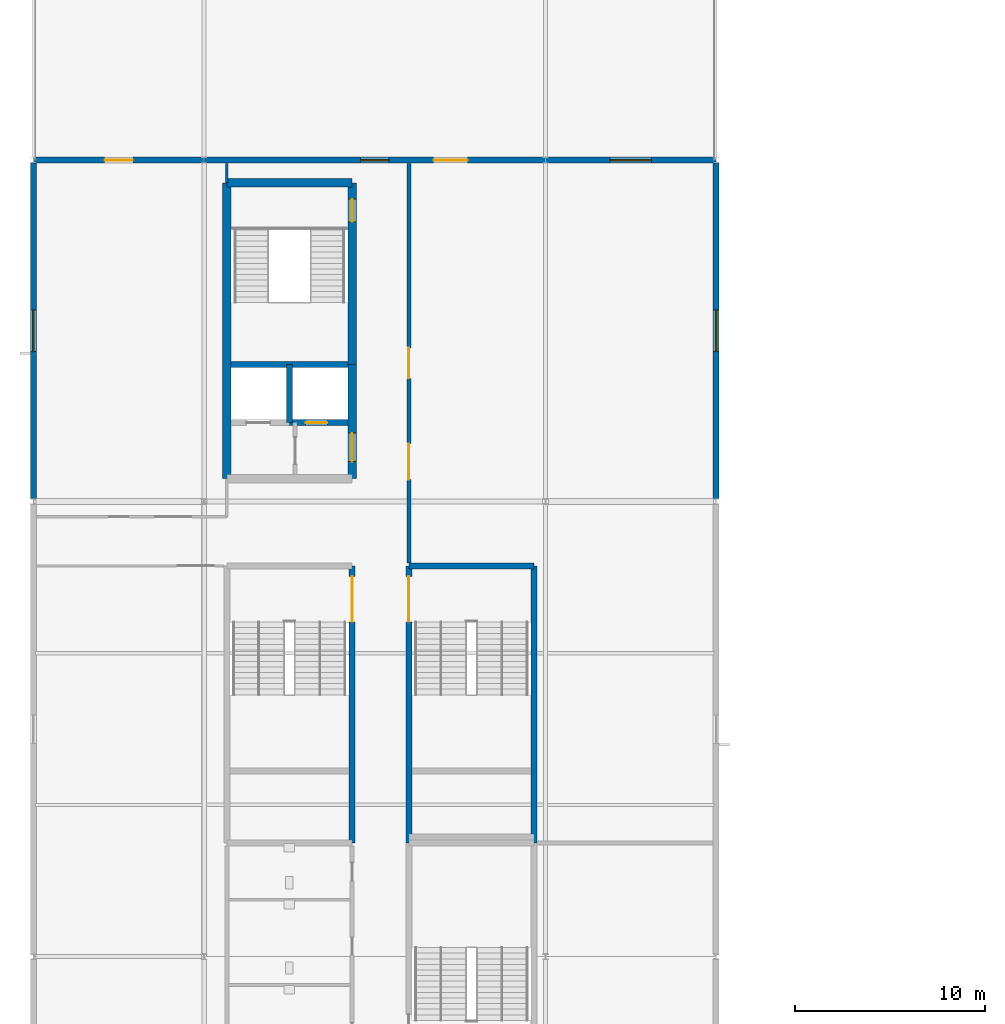
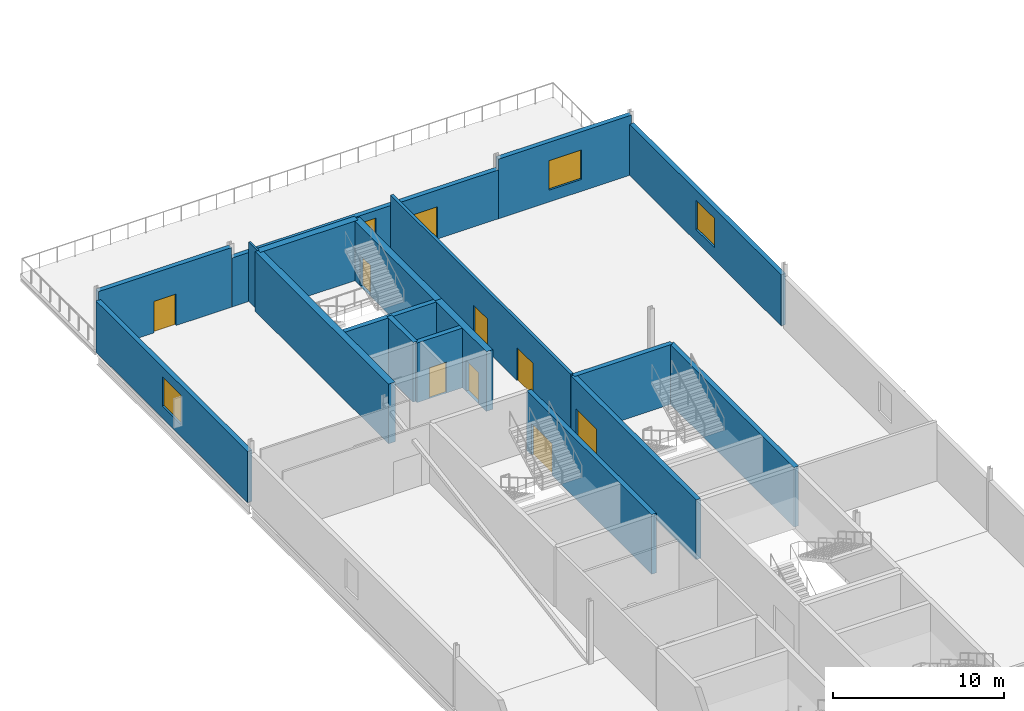
# One storey, part 13 of 28: 18 walls, 9 doors, 4 windows, 13 openings.
"""IFC4 building model written with IfcOpenShell, lengths in metres."""

from ifc_helpers import new_model, si_unit, direction, frame, frame_2d, origin, place, context, subcontext, project, spatial, rectangle, extrude, material, layer, layer_set, type_object, element, fill, save


model = new_model("IFC4")

# Units and contexts
model_context = context("Model", 3, precision=1e-05, world=origin(), true_north=direction((0.0, 1.0)))
body_context = subcontext(model_context, "Body", "Model", "MODEL_VIEW")
ifc_project = project(units=[si_unit("LENGTHUNIT", "METRE"), si_unit("AREAUNIT", "SQUARE_METRE"), si_unit("VOLUMEUNIT", "CUBIC_METRE"), si_unit("PLANEANGLEUNIT", "RADIAN"), si_unit("MASSUNIT", "GRAM", prefix="KILO")], contexts=[model_context])

# Site, building, storey
site_placement = place(None, origin())
site = spatial("IfcSite", under=ifc_project, at=site_placement, CompositionType="ELEMENT")
building_placement = place(site_placement, origin())
building = spatial("IfcBuilding", under=site, at=building_placement, Name="Kisiwana Market Hall", CompositionType="ELEMENT")
storey_placement = place(building_placement, frame((0.0, 0.0, 49.5)))
storey = spatial("IfcBuildingStorey", under=building, at=storey_placement, Name="L11", CompositionType="ELEMENT", Elevation=49.5)

# Wall, openings, doors
ifc_material_1 = material(Name="Masonry blockwork", Category="masonry")
ifc_layer_1 = layer(ifc_material_1, 0.199951171875, Name="Plastered fire compartment block wall")
ifc_layer_set_1 = layer_set([ifc_layer_1], Name="WL-COMP-200")
wall_type_1 = type_object("IfcWallType", Name="WL-COMP-200", PredefinedType="PARTITIONING", material=ifc_layer_set_1)
wall_1_placement = place(storey_placement, frame((19.800048828125, 80.760009765625, 0.0), z_axis=(0.0, 0.0, 1.0), x_axis=(0.0, 1.0, 0.0)))
wall_1 = element("IfcWall", 1, at=wall_1_placement, inside=storey, type_object=wall_type_1, Name="Interior partition W-2882", PredefinedType="PARTITIONING", context=body_context, shape_type="SweptSolid", body=[
    extrude(rectangle(XDim=21.070068359375, YDim=0.199951171875, at=frame_2d((10.53515625, 0.0))), origin(), (0.0, 0.0, 1.0), 4.2548828125),
])
opening_1_placement = place(wall_1_placement, frame((4.389892578125, 0.0, 0.0)))
opening_1 = element("IfcOpeningElement", 2, at=opening_1_placement, cuts=wall_1, Name="Opening DR-L11-035", PredefinedType="OPENING", context=body_context, shape_type="SweptSolid", body=[
    extrude(rectangle(XDim=1.89990234375, YDim=2.35009765625, at=frame_2d((0.949951171875, 1.175048828125))), frame((0.0, 0.11181640625, 0.0), z_axis=(0.0, -1.0, 0.0), x_axis=(1.0, 0.0, 0.0)), (0.0, 0.0, 1.0), 0.223876953125),
])
opening_2_placement = place(wall_1_placement, frame((9.735107421875, 0.0, 0.0)))
opening_2 = element("IfcOpeningElement", 3, at=opening_2_placement, cuts=wall_1, Name="Opening DR-L11-036", PredefinedType="OPENING", context=body_context, shape_type="SweptSolid", body=[
    extrude(rectangle(XDim=1.60009765625, YDim=2.300048828125, at=frame_2d((0.800048828125, 1.14990234375))), frame((0.0, 0.11181640625, 0.0), z_axis=(0.0, -1.0, 0.0), x_axis=(1.0, 0.0, 0.0)), (0.0, 0.0, 1.0), 0.223876953125),
])
ifc_material_2 = material(Name="Steel S275", Category="steel")
door_type_1 = type_object("IfcDoorType", Name="DR-HALL-1900", OperationType="DOUBLE_DOOR_SINGLE_SWING", PredefinedType="DOOR", material=ifc_material_2)
door_1_placement = place(opening_1_placement, frame((1.89990234375, 0.0, 0.0), z_axis=(0.0, 0.0, 1.0), x_axis=(-1.0, 0.0, 0.0)))
door_1 = element("IfcDoor", 4, at=door_1_placement, inside=storey, type_object=door_type_1, Name="L11 W Executive Training Room Door", OperationType="DOUBLE_DOOR_SINGLE_SWING", OverallHeight=2.35009765625, OverallWidth=1.89990234375, PredefinedType="DOOR", context=body_context, shape_type="SweptSolid", body=[
    extrude(rectangle(XDim=1.89990234375, YDim=2.35009765625, at=frame_2d((0.949951171875, 1.175048828125))), frame((0.0, 0.02490234375, 0.0), z_axis=(0.0, -1.0, 0.0), x_axis=(1.0, 0.0, 0.0)), (0.0, 0.0, 1.0), 0.050048828125),
])
fill(opening_1, door_1)
ifc_material_3 = material(Name="Steel S275", Category="steel")
door_type_2 = type_object("IfcDoorType", Name="DR-PLANT-FD120-1600", OperationType="DOUBLE_DOOR_SINGLE_SWING", PredefinedType="DOOR", material=ifc_material_3)
door_2_placement = place(opening_2_placement, frame((1.60009765625, 0.0, 0.0), z_axis=(0.0, 0.0, 1.0), x_axis=(-1.0, 0.0, 0.0)))
door_2 = element("IfcDoor", 5, at=door_2_placement, inside=storey, type_object=door_type_2, Name="L11 W Mid-Height AHU Plant Room Door", OperationType="DOUBLE_DOOR_SINGLE_SWING", OverallHeight=2.300048828125, OverallWidth=1.60009765625, PredefinedType="DOOR", context=body_context, shape_type="SweptSolid", body=[
    extrude(rectangle(XDim=1.60009765625, YDim=2.300048828125, at=frame_2d((0.800048828125, 1.14990234375))), frame((0.0, 0.02490234375, 0.0), z_axis=(0.0, -1.0, 0.0), x_axis=(1.0, 0.0, 0.0)), (0.0, 0.0, 1.0), 0.050048828125),
])
fill(opening_2, door_2)

# Walls
ifc_material_4 = material(Name="Concrete C40/50", Category="concrete")
ifc_layer_2 = layer(ifc_material_4, 0.320068359375, Name="Reinforced concrete shaft wall")
ifc_layer_set_2 = layer_set([ifc_layer_2], Name="WL-CORE-320")
wall_type_2 = type_object("IfcWallType", Name="WL-CORE-320", PredefinedType="SHEAR", material=ifc_layer_set_2)
wall_2_placement = place(storey_placement, frame((10.425048828125, 91.215087890625, 0.0), z_axis=(0.0, 0.0, 1.0), x_axis=(1.0, 0.0, 0.0)))
element("IfcWall", 6, at=wall_2_placement, inside=storey, type_object=wall_type_2, Name="Core W1 shaft back shear wall W-2765", PredefinedType="SHEAR", context=body_context, shape_type="SweptSolid", body=[
    extrude(rectangle(XDim=6.14990234375, YDim=0.320068359375, at=frame_2d((3.074951171875, 0.0))), origin(), (0.0, 0.0, 1.0), 4.2548828125),
])
wall_3_placement = place(storey_placement, frame((13.5, 88.155029296875, 0.0), z_axis=(0.0, 0.0, 1.0), x_axis=(0.0, 1.0, 0.0)))
element("IfcWall", 7, at=wall_3_placement, inside=storey, type_object=wall_type_2, Name="Core W1 inter-shaft shear wall W-2766", PredefinedType="SHEAR", context=body_context, shape_type="SweptSolid", body=[
    extrude(rectangle(XDim=3.06005859375, YDim=0.320068359375, at=frame_2d((1.530029296875, 0.0))), origin(), (0.0, 0.0, 1.0), 4.2548828125),
])

# Wall, opening, door
wall_4_placement = place(storey_placement, frame((13.5, 88.155029296875, 0.0), z_axis=(0.0, 0.0, 1.0), x_axis=(1.0, 0.0, 0.0)))
wall_4 = element("IfcWall", 8, at=wall_4_placement, inside=storey, type_object=wall_type_2, Name="Core W1 east lift front wall W-2768", PredefinedType="SHEAR", context=body_context, shape_type="SweptSolid", body=[
    extrude(rectangle(XDim=3.074951171875, YDim=0.320068359375, at=frame_2d((1.53759765625, 0.0))), origin(), (0.0, 0.0, 1.0), 4.2548828125),
])
opening_3_placement = place(wall_4_placement, frame((0.85009765625, 0.0, 0.0)))
opening_3 = element("IfcOpeningElement", 9, at=opening_3_placement, cuts=wall_4, Name="Opening LD-L11-004", PredefinedType="OPENING", context=body_context, shape_type="SweptSolid", body=[
    extrude(rectangle(XDim=1.14990234375, YDim=2.199951171875, at=frame_2d((0.574951171875, 1.10009765625))), frame((0.0, 0.171875, 0.0), z_axis=(0.0, -1.0, 0.0), x_axis=(1.0, 0.0, 0.0)), (0.0, 0.0, 1.0), 0.343994140625),
])
ifc_material_5 = material(Name="Steel S275", Category="steel")
door_type_3 = type_object("IfcDoorType", Name="DR-LIFT-PAX-1150", OperationType="DOUBLE_DOOR_SLIDING", PredefinedType="DOOR", material=ifc_material_5)
door_3_placement = place(opening_3_placement, origin())
door_3 = element("IfcDoor", 10, at=door_3_placement, inside=storey, type_object=door_type_3, Name="Lift Landing Door LP-02 (L11)", OperationType="DOUBLE_DOOR_SLIDING", OverallHeight=2.199951171875, OverallWidth=1.14990234375, PredefinedType="DOOR", context=body_context, shape_type="SweptSolid", body=[
    extrude(rectangle(XDim=1.14990234375, YDim=2.199951171875, at=frame_2d((0.574951171875, 1.10009765625))), frame((0.0, 0.02490234375, 0.0), z_axis=(0.0, -1.0, 0.0), x_axis=(1.0, 0.0, 0.0)), (0.0, 0.0, 1.0), 0.050048828125),
])
fill(opening_3, door_3)

wall_5_placement = place(storey_placement, frame((16.800048828125, 66.0, 0.0), z_axis=(0.0, 0.0, 1.0), x_axis=(0.0, 1.0, 0.0)))
wall_5 = element("IfcWall", 11, at=wall_5_placement, inside=storey, type_object=wall_type_2, Name="Core W4 corridor shear wall W-2795", PredefinedType="SHEAR", context=body_context, shape_type="SweptSolid", body=[
    extrude(rectangle(XDim=14.60009765625, YDim=0.320068359375, at=frame_2d((7.300048828125, 0.0))), origin(), (0.0, 0.0, 1.0), 4.2548828125),
])
opening_4_placement = place(wall_5_placement, frame((11.64990234375, 0.0, 0.0)))
opening_4 = element("IfcOpeningElement", 12, at=opening_4_placement, cuts=wall_5, Name="Opening DR-L11-014", PredefinedType="OPENING", context=body_context, shape_type="SweptSolid", body=[
    extrude(rectangle(XDim=2.39990234375, YDim=2.25, at=frame_2d((1.199951171875, 1.125))), frame((0.0, 0.171875, 0.0), z_axis=(0.0, -1.0, 0.0), x_axis=(1.0, 0.0, 0.0)), (0.0, 0.0, 1.0), 0.343994140625),
])
ifc_material_6 = material(Name="Steel S275", Category="steel")
door_type_4 = type_object("IfcDoorType", Name="DR-STAIR-FD120-2400", OperationType="DOUBLE_DOOR_SINGLE_SWING", PredefinedType="DOOR", material=ifc_material_6)
door_4_placement = place(opening_4_placement, origin())
door_4 = element("IfcDoor", 13, at=door_4_placement, inside=storey, type_object=door_type_4, Name="Escape Stair W4 Fire Door (L11)", OperationType="DOUBLE_DOOR_SINGLE_SWING", OverallHeight=2.25, OverallWidth=2.39990234375, PredefinedType="DOOR", context=body_context, shape_type="SweptSolid", body=[
    extrude(rectangle(XDim=2.39990234375, YDim=2.25, at=frame_2d((1.199951171875, 1.125))), frame((0.0, 0.02490234375, 0.0), z_axis=(0.0, -1.0, 0.0), x_axis=(1.0, 0.0, 0.0)), (0.0, 0.0, 1.0), 0.050048828125),
])
fill(opening_4, door_4)

# Wall
wall_6_placement = place(storey_placement, frame((19.800048828125, 80.60009765625, 0.0), z_axis=(0.0, 0.0, 1.0), x_axis=(1.0, 0.0, 0.0)))
element("IfcWall", 14, at=wall_6_placement, inside=storey, type_object=wall_type_2, Name="Core W8 north shear wall W-2818", PredefinedType="SHEAR", context=body_context, shape_type="SweptSolid", body=[
    extrude(rectangle(XDim=6.599853515625, YDim=0.320068359375, at=frame_2d((3.2998046875, 0.0))), origin(), (0.0, 0.0, 1.0), 4.2548828125),
])

# Wall, opening, door
wall_7_placement = place(storey_placement, frame((19.800048828125, 66.0, 0.0), z_axis=(0.0, 0.0, 1.0), x_axis=(0.0, 1.0, 0.0)))
wall_7 = element("IfcWall", 15, at=wall_7_placement, inside=storey, type_object=wall_type_2, Name="Core W8 corridor shear wall W-2819", PredefinedType="SHEAR", context=body_context, shape_type="SweptSolid", body=[
    extrude(rectangle(XDim=14.60009765625, YDim=0.320068359375, at=frame_2d((7.300048828125, 0.0))), origin(), (0.0, 0.0, 1.0), 4.2548828125),
])
opening_5_placement = place(wall_7_placement, frame((11.64990234375, 0.0, 0.0)))
opening_5 = element("IfcOpeningElement", 16, at=opening_5_placement, cuts=wall_7, Name="Opening DR-L11-019", PredefinedType="OPENING", context=body_context, shape_type="SweptSolid", body=[
    extrude(rectangle(XDim=2.39990234375, YDim=2.25, at=frame_2d((1.199951171875, 1.125))), frame((0.0, 0.171875, 0.0), z_axis=(0.0, -1.0, 0.0), x_axis=(1.0, 0.0, 0.0)), (0.0, 0.0, 1.0), 0.343994140625),
])
door_5_placement = place(opening_5_placement, frame((2.39990234375, 0.0, 0.0), z_axis=(0.0, 0.0, 1.0), x_axis=(-1.0, 0.0, 0.0)))
door_5 = element("IfcDoor", 17, at=door_5_placement, inside=storey, type_object=door_type_4, Name="Escape Stair W8 Fire Door (L11)", OperationType="DOUBLE_DOOR_SINGLE_SWING", OverallHeight=2.25, OverallWidth=2.39990234375, PredefinedType="DOOR", context=body_context, shape_type="SweptSolid", body=[
    extrude(rectangle(XDim=2.39990234375, YDim=2.25, at=frame_2d((1.199951171875, 1.125))), frame((0.0, 0.02490234375, 0.0), z_axis=(0.0, -1.0, 0.0), x_axis=(1.0, 0.0, 0.0)), (0.0, 0.0, 1.0), 0.050048828125),
])
fill(opening_5, door_5)

# Walls
wall_8_placement = place(storey_placement, frame((26.39990234375, 66.0, 0.0), z_axis=(0.0, 0.0, 1.0), x_axis=(0.0, 1.0, 0.0)))
element("IfcWall", 18, at=wall_8_placement, inside=storey, type_object=wall_type_2, Name="Core W8 outer shear wall W-2820", PredefinedType="SHEAR", context=body_context, shape_type="SweptSolid", body=[
    extrude(rectangle(XDim=14.60009765625, YDim=0.320068359375, at=frame_2d((7.300048828125, 0.0))), origin(), (0.0, 0.0, 1.0), 4.2548828125),
])
ifc_material_7 = material(Name="Concrete C40/50", Category="concrete")
ifc_layer_3 = layer(ifc_material_7, 0.449951171875, Name="Reinforced concrete core wall")
ifc_layer_set_3 = layer_set([ifc_layer_3], Name="WL-CORE-450")
wall_type_3 = type_object("IfcWallType", Name="WL-CORE-450", PredefinedType="SHEAR", material=ifc_layer_set_3)
wall_9_placement = place(storey_placement, frame((10.199951171875, 100.800048828125, 0.0), z_axis=(0.0, 0.0, 1.0), x_axis=(1.0, 0.0, 0.0)))
element("IfcWall", 19, at=wall_9_placement, inside=storey, type_object=wall_type_3, Name="Core W1 north shear wall W-2761", PredefinedType="SHEAR", context=body_context, shape_type="SweptSolid", body=[
    extrude(rectangle(XDim=6.60009765625, YDim=0.449951171875, at=frame_2d((3.300048828125, 0.0))), origin(), (0.0, 0.0, 1.0), 4.2548828125),
])
wall_10_placement = place(storey_placement, frame((10.199951171875, 85.199951171875, 0.0), z_axis=(0.0, 0.0, 1.0), x_axis=(0.0, 1.0, 0.0)))
element("IfcWall", 20, at=wall_10_placement, inside=storey, type_object=wall_type_3, Name="Core W1 outer shear wall W-2762", PredefinedType="SHEAR", context=body_context, shape_type="SweptSolid", body=[
    extrude(rectangle(XDim=15.60009765625, YDim=0.449951171875, at=frame_2d((7.800048828125, 0.0))), origin(), (0.0, 0.0, 1.0), 4.2548828125),
])

# Wall, opening, door
wall_11_placement = place(storey_placement, frame((16.800048828125, 85.199951171875, 0.0), z_axis=(0.0, 0.0, 1.0), x_axis=(0.0, 1.0, 0.0)))
wall_11 = element("IfcWall", 21, at=wall_11_placement, inside=storey, type_object=wall_type_3, Name="Core W1 lobby corridor shear wall W-2763", PredefinedType="SHEAR", context=body_context, shape_type="SweptSolid", body=[
    extrude(rectangle(XDim=6.01513671875, YDim=0.449951171875, at=frame_2d((3.007568359375, 0.0))), origin(), (0.0, 0.0, 1.0), 4.2548828125),
])
opening_6_placement = place(wall_11_placement, frame((0.89990234375, 0.0, 0.0)))
opening_6 = element("IfcOpeningElement", 22, at=opening_6_placement, cuts=wall_11, Name="Opening DR-L11-004", PredefinedType="OPENING", context=body_context, shape_type="SweptSolid", body=[
    extrude(rectangle(XDim=1.5, YDim=2.199951171875, at=frame_2d((0.75, 1.10009765625))), frame((0.0, 0.23681640625, 0.0), z_axis=(0.0, -1.0, 0.0), x_axis=(1.0, 0.0, 0.0)), (0.0, 0.0, 1.0), 0.473876953125),
])
ifc_material_8 = material(Name="Steel S275", Category="steel")
door_type_5 = type_object("IfcDoorType", Name="DR-CORR-FD60-1500", OperationType="DOUBLE_DOOR_SINGLE_SWING", PredefinedType="DOOR", material=ifc_material_8)
door_6_placement = place(opening_6_placement, frame((1.5, 0.0, 0.0), z_axis=(0.0, 0.0, 1.0), x_axis=(-1.0, 0.0, 0.0)))
door_6 = element("IfcDoor", 23, at=door_6_placement, inside=storey, type_object=door_type_5, Name="Passenger Lift Lobby W1 Smoke Door (L11)", OperationType="DOUBLE_DOOR_SINGLE_SWING", OverallHeight=2.199951171875, OverallWidth=1.5, PredefinedType="DOOR", context=body_context, shape_type="SweptSolid", body=[
    extrude(rectangle(XDim=1.5, YDim=2.199951171875, at=frame_2d((0.75, 1.10009765625))), frame((0.0, 0.02490234375, 0.0), z_axis=(0.0, -1.0, 0.0), x_axis=(1.0, 0.0, 0.0)), (0.0, 0.0, 1.0), 0.050048828125),
])
fill(opening_6, door_6)

wall_12_placement = place(storey_placement, frame((16.800048828125, 91.215087890625, 0.0), z_axis=(0.0, 0.0, 1.0), x_axis=(0.0, 1.0, 0.0)))
wall_12 = element("IfcWall", 24, at=wall_12_placement, inside=storey, type_object=wall_type_3, Name="Core W1 stair corridor shear wall W-2764", PredefinedType="SHEAR", context=body_context, shape_type="SweptSolid", body=[
    extrude(rectangle(XDim=9.5849609375, YDim=0.449951171875, at=frame_2d((4.79248046875, 0.0))), origin(), (0.0, 0.0, 1.0), 4.2548828125),
])
opening_7_placement = place(wall_12_placement, frame((7.534912109375, 0.0, 0.0)))
opening_7 = element("IfcOpeningElement", 25, at=opening_7_placement, cuts=wall_12, Name="Opening DR-L11-005", PredefinedType="OPENING", context=body_context, shape_type="SweptSolid", body=[
    extrude(rectangle(XDim=1.199951171875, YDim=2.199951171875, at=frame_2d((0.60009765625, 1.10009765625))), frame((0.0, 0.23681640625, 0.0), z_axis=(0.0, -1.0, 0.0), x_axis=(1.0, 0.0, 0.0)), (0.0, 0.0, 1.0), 0.473876953125),
])
ifc_material_9 = material(Name="Steel S275", Category="steel")
door_type_6 = type_object("IfcDoorType", Name="DR-STAIR-FD120-1200", OperationType="NOTDEFINED", PredefinedType="DOOR", material=ifc_material_9)
door_7_placement = place(opening_7_placement, origin())
door_7 = element("IfcDoor", 26, at=door_7_placement, inside=storey, type_object=door_type_6, Name="Escape Stair W1 Fire Door (L11)", OperationType="SINGLE_SWING_RIGHT", OverallHeight=2.199951171875, OverallWidth=1.199951171875, PredefinedType="DOOR", context=body_context, shape_type="SweptSolid", body=[
    extrude(rectangle(XDim=1.199951171875, YDim=2.199951171875, at=frame_2d((0.60009765625, 1.10009765625))), frame((0.0, 0.02490234375, 0.0), z_axis=(0.0, -1.0, 0.0), x_axis=(1.0, 0.0, 0.0)), (0.0, 0.0, 1.0), 0.050048828125),
])
fill(opening_7, door_7)

ifc_material_10 = material(Name="Concrete C40/50 precast", Category="concrete")
ifc_layer_4 = layer(ifc_material_10, 0.31494140625)
ifc_layer_set_4 = layer_set([ifc_layer_4], Name="WL-EXT-315")
wall_type_4 = type_object("IfcWallType", Name="WL-EXT-315", PredefinedType="STANDARD", material=ifc_layer_set_4)
wall_13_placement = place(storey_placement, frame((0.010009765625, 102.0, 0.0), z_axis=(0.0, 0.0, 1.0), x_axis=(1.0, 0.0, 0.0)))
wall_13 = element("IfcWall", 27, at=wall_13_placement, inside=storey, type_object=wall_type_4, Name="Exterior wall W-2841", PredefinedType="STANDARD", context=body_context, shape_type="SweptSolid", body=[
    extrude(rectangle(XDim=8.97998046875, YDim=0.31494140625, at=frame_2d((4.489990234375, 0.0))), origin(), (0.0, 0.0, 1.0), 4.2548828125),
])
opening_8_placement = place(wall_13_placement, frame((3.739990234375, 0.0, 0.0)))
opening_8 = element("IfcOpeningElement", 28, at=opening_8_placement, cuts=wall_13, Name="Opening DR-L11-995", PredefinedType="OPENING", context=body_context, shape_type="SweptSolid", body=[
    extrude(rectangle(XDim=1.5, YDim=2.25, at=frame_2d((0.75, 1.125))), frame((0.0, 0.16943359375, 0.0), z_axis=(0.0, -1.0, 0.0), x_axis=(1.0, 0.0, 0.0)), (0.0, 0.0, 1.0), 0.3388671875),
])
ifc_material_11 = material(Name="Aluminium alloy 6063-T6", Category="aluminium")
door_type_7 = type_object("IfcDoorType", Name="DR-EXT-TERR-1500", OperationType="DOUBLE_DOOR_SINGLE_SWING", PredefinedType="DOOR", material=ifc_material_11)
door_8_placement = place(opening_8_placement, frame((1.5, 0.0, 0.0), z_axis=(0.0, 0.0, 1.0), x_axis=(-1.0, 0.0, 0.0)))
door_8 = element("IfcDoor", 29, at=door_8_placement, inside=storey, type_object=door_type_7, Name="Exterior terrace access door DR-L11-995", OperationType="DOUBLE_DOOR_SINGLE_SWING", OverallHeight=2.25, OverallWidth=1.5, PredefinedType="DOOR", context=body_context, shape_type="SweptSolid", body=[
    extrude(rectangle(XDim=1.5, YDim=2.25, at=frame_2d((0.75, 1.125))), frame((0.0, 0.02490234375, 0.0), z_axis=(0.0, -1.0, 0.0), x_axis=(1.0, 0.0, 0.0)), (0.0, 0.0, 1.0), 0.050048828125),
])
fill(opening_8, door_8)

# Wall, openings, door, window
wall_14_placement = place(storey_placement, frame((9.010009765625, 102.0, 0.0), z_axis=(0.0, 0.0, 1.0), x_axis=(1.0, 0.0, 0.0)))
wall_14 = element("IfcWall", 30, at=wall_14_placement, inside=storey, type_object=wall_type_4, Name="Exterior wall W-2842", PredefinedType="STANDARD", context=body_context, shape_type="SweptSolid", body=[
    extrude(rectangle(XDim=17.97998046875, YDim=0.31494140625, at=frame_2d((8.989990234375, 0.0))), origin(), (0.0, 0.0, 1.0), 3.492919921875),
])
opening_9_placement = place(wall_14_placement, frame((8.239990234375, 0.0, 0.85009765625)))
opening_9 = element("IfcOpeningElement", 31, at=opening_9_placement, cuts=wall_14, Name="Opening WN-04", PredefinedType="OPENING", context=body_context, shape_type="SweptSolid", body=[
    extrude(rectangle(XDim=1.5, YDim=2.10009765625, at=frame_2d((0.75, 1.050048828125))), frame((0.0, 0.16943359375, 0.0), z_axis=(0.0, -1.0, 0.0), x_axis=(1.0, 0.0, 0.0)), (0.0, 0.0, 1.0), 0.3388671875),
])
opening_10_placement = place(wall_14_placement, frame((12.090087890625, 0.0, 0.0)))
opening_10 = element("IfcOpeningElement", 32, at=opening_10_placement, cuts=wall_14, Name="Opening DR-L11-998", PredefinedType="OPENING", context=body_context, shape_type="SweptSolid", body=[
    extrude(rectangle(XDim=1.800048828125, YDim=2.300048828125, at=frame_2d((0.89990234375, 1.14990234375))), frame((0.0, 0.16943359375, 0.0), z_axis=(0.0, -1.0, 0.0), x_axis=(1.0, 0.0, 0.0)), (0.0, 0.0, 1.0), 0.3388671875),
])
ifc_material_12 = material(Name="Aluminium alloy 6063-T6", Category="aluminium")
door_type_8 = type_object("IfcDoorType", Name="DR-EXT-TERR-1800", OperationType="DOUBLE_DOOR_SINGLE_SWING", PredefinedType="DOOR", material=ifc_material_12)
door_9_placement = place(opening_10_placement, frame((1.800048828125, 0.0, 0.0), z_axis=(0.0, 0.0, 1.0), x_axis=(-1.0, 0.0, 0.0)))
door_9 = element("IfcDoor", 33, at=door_9_placement, inside=storey, type_object=door_type_8, Name="Exterior terrace access door DR-L11-998", OperationType="DOUBLE_DOOR_SINGLE_SWING", OverallHeight=2.300048828125, OverallWidth=1.800048828125, PredefinedType="DOOR", context=body_context, shape_type="SweptSolid", body=[
    extrude(rectangle(XDim=1.800048828125, YDim=2.300048828125, at=frame_2d((0.89990234375, 1.14990234375))), frame((0.0, 0.02490234375, 0.0), z_axis=(0.0, -1.0, 0.0), x_axis=(1.0, 0.0, 0.0)), (0.0, 0.0, 1.0), 0.050048828125),
])
fill(opening_10, door_9)
ifc_material_13 = material(Name="Double-glazed solar-control low-E IGU", Category="glass")
window_type_1 = type_object("IfcWindowType", Name="WN-DRUM-1500x2100", PartitioningType="SINGLE_PANEL", PredefinedType="WINDOW", material=ifc_material_13)
window_1_placement = place(opening_9_placement, origin())
window_1 = element("IfcWindow", 34, at=window_1_placement, inside=storey, type_object=window_type_1, Name="Exterior window WN-335", OverallHeight=2.10009765625, OverallWidth=1.5, PartitioningType="SINGLE_PANEL", PredefinedType="WINDOW", context=body_context, shape_type="SweptSolid", body=[
    extrude(rectangle(XDim=1.5, YDim=2.10009765625, at=frame_2d((0.75, 1.050048828125))), frame((0.0, 0.030029296875, 0.0), z_axis=(0.0, -1.0, 0.0), x_axis=(1.0, 0.0, 0.0)), (0.0, 0.0, 1.0), 0.06005859375),
])
fill(opening_9, window_1)

# Wall, opening, window
wall_15_placement = place(storey_placement, frame((27.010009765625, 102.0, 0.0), z_axis=(0.0, 0.0, 1.0), x_axis=(1.0, 0.0, 0.0)))
wall_15 = element("IfcWall", 35, at=wall_15_placement, inside=storey, type_object=wall_type_4, Name="Exterior wall W-2843", PredefinedType="STANDARD", context=body_context, shape_type="SweptSolid", body=[
    extrude(rectangle(XDim=8.97998046875, YDim=0.31494140625, at=frame_2d((4.489990234375, 0.0))), origin(), (0.0, 0.0, 1.0), 4.2548828125),
])
opening_11_placement = place(wall_15_placement, frame((3.389892578125, 0.0, 0.85009765625)))
opening_11 = element("IfcOpeningElement", 36, at=opening_11_placement, cuts=wall_15, Name="Opening WN-28", PredefinedType="OPENING", context=body_context, shape_type="SweptSolid", body=[
    extrude(rectangle(XDim=2.199951171875, YDim=2.10009765625, at=frame_2d((1.10009765625, 1.050048828125))), frame((0.0, 0.16943359375, 0.0), z_axis=(0.0, -1.0, 0.0), x_axis=(1.0, 0.0, 0.0)), (0.0, 0.0, 1.0), 0.3388671875),
])
ifc_material_14 = material(Name="Double-glazed solar-control low-E IGU", Category="glass")
window_type_2 = type_object("IfcWindowType", Name="WN-SKYG-2200x2100", PartitioningType="SINGLE_PANEL", PredefinedType="WINDOW", material=ifc_material_14)
window_2_placement = place(opening_11_placement, origin())
window_2 = element("IfcWindow", 37, at=window_2_placement, inside=storey, type_object=window_type_2, Name="Exterior window WN-347", OverallHeight=2.10009765625, OverallWidth=2.199951171875, PartitioningType="SINGLE_PANEL", PredefinedType="WINDOW", context=body_context, shape_type="SweptSolid", body=[
    extrude(rectangle(XDim=2.199951171875, YDim=2.10009765625, at=frame_2d((1.10009765625, 1.050048828125))), frame((0.0, 0.030029296875, 0.0), z_axis=(0.0, -1.0, 0.0), x_axis=(1.0, 0.0, 0.0)), (0.0, 0.0, 1.0), 0.06005859375),
])
fill(opening_11, window_2)

wall_16_placement = place(storey_placement, frame((0.0, 84.133056640625, 0.0), z_axis=(0.0, 0.0, 1.0), x_axis=(0.0, 1.0, 0.0)))
wall_16 = element("IfcWall", 38, at=wall_16_placement, inside=storey, type_object=wall_type_4, Name="Exterior wall W-2850", PredefinedType="STANDARD", context=body_context, shape_type="SweptSolid", body=[
    extrude(rectangle(XDim=17.73388671875, YDim=0.31494140625, at=frame_2d((8.866943359375, 0.0))), origin(), (0.0, 0.0, 1.0), 3.642822265625),
])
opening_12_placement = place(wall_16_placement, frame((7.766845703125, 0.0, 0.85009765625)))
opening_12 = element("IfcOpeningElement", 39, at=opening_12_placement, cuts=wall_16, Name="Opening WN-28", PredefinedType="OPENING", context=body_context, shape_type="SweptSolid", body=[
    extrude(rectangle(XDim=2.199951171875, YDim=2.10009765625, at=frame_2d((1.10009765625, 1.050048828125))), frame((0.0, 0.16943359375, 0.0), z_axis=(0.0, -1.0, 0.0), x_axis=(1.0, 0.0, 0.0)), (0.0, 0.0, 1.0), 0.3388671875),
])
window_3_placement = place(opening_12_placement, origin())
window_3 = element("IfcWindow", 40, at=window_3_placement, inside=storey, type_object=window_type_2, Name="Exterior window WN-349", OverallHeight=2.10009765625, OverallWidth=2.199951171875, PartitioningType="SINGLE_PANEL", PredefinedType="WINDOW", context=body_context, shape_type="SweptSolid", body=[
    extrude(rectangle(XDim=2.199951171875, YDim=2.10009765625, at=frame_2d((1.10009765625, 1.050048828125))), frame((0.0, 0.030029296875, 0.0), z_axis=(0.0, -1.0, 0.0), x_axis=(1.0, 0.0, 0.0)), (0.0, 0.0, 1.0), 0.06005859375),
])
fill(opening_12, window_3)

wall_17_placement = place(storey_placement, frame((36.0, 84.133056640625, 0.0), z_axis=(0.0, 0.0, 1.0), x_axis=(0.0, 1.0, 0.0)))
wall_17 = element("IfcWall", 41, at=wall_17_placement, inside=storey, type_object=wall_type_4, Name="Exterior wall W-2854", PredefinedType="STANDARD", context=body_context, shape_type="SweptSolid", body=[
    extrude(rectangle(XDim=17.73388671875, YDim=0.31494140625, at=frame_2d((8.866943359375, 0.0))), origin(), (0.0, 0.0, 1.0), 3.642822265625),
])
opening_13_placement = place(wall_17_placement, frame((7.766845703125, 0.0, 0.85009765625)))
opening_13 = element("IfcOpeningElement", 42, at=opening_13_placement, cuts=wall_17, Name="Opening WN-28", PredefinedType="OPENING", context=body_context, shape_type="SweptSolid", body=[
    extrude(rectangle(XDim=2.199951171875, YDim=2.10009765625, at=frame_2d((1.10009765625, 1.050048828125))), frame((0.0, 0.16943359375, 0.0), z_axis=(0.0, -1.0, 0.0), x_axis=(1.0, 0.0, 0.0)), (0.0, 0.0, 1.0), 0.3388671875),
])
window_4_placement = place(opening_13_placement, origin())
window_4 = element("IfcWindow", 43, at=window_4_placement, inside=storey, type_object=window_type_2, Name="Exterior window WN-351", OverallHeight=2.10009765625, OverallWidth=2.199951171875, PartitioningType="SINGLE_PANEL", PredefinedType="WINDOW", context=body_context, shape_type="SweptSolid", body=[
    extrude(rectangle(XDim=2.199951171875, YDim=2.10009765625, at=frame_2d((1.10009765625, 1.050048828125))), frame((0.0, 0.030029296875, 0.0), z_axis=(0.0, -1.0, 0.0), x_axis=(1.0, 0.0, 0.0)), (0.0, 0.0, 1.0), 0.06005859375),
])
fill(opening_13, window_4)

# Wall
ifc_material_15 = material(Name="Gypsum plasterboard")
ifc_layer_5 = layer(ifc_material_15, 0.125, Name="Double gypsum board + acoustic stud")
ifc_layer_set_5 = layer_set([ifc_layer_5], Name="WL-OFF-125")
wall_type_5 = type_object("IfcWallType", Name="WL-OFF-125", PredefinedType="PARTITIONING", material=ifc_layer_set_5)
wall_18_placement = place(storey_placement, frame((10.199951171875, 100.800048828125, 0.0), z_axis=(0.0, 0.0, 1.0), x_axis=(0.0, 1.0, 0.0)))
element("IfcWall", 44, at=wall_18_placement, inside=storey, type_object=wall_type_5, Name="Interior partition W-2874", PredefinedType="PARTITIONING", context=body_context, shape_type="SweptSolid", body=[
    extrude(rectangle(XDim=1.030029296875, YDim=0.125, at=frame_2d((0.51513671875, 0.0))), origin(), (0.0, 0.0, 1.0), 4.2548828125),
])

save(model, "model.ifc")
